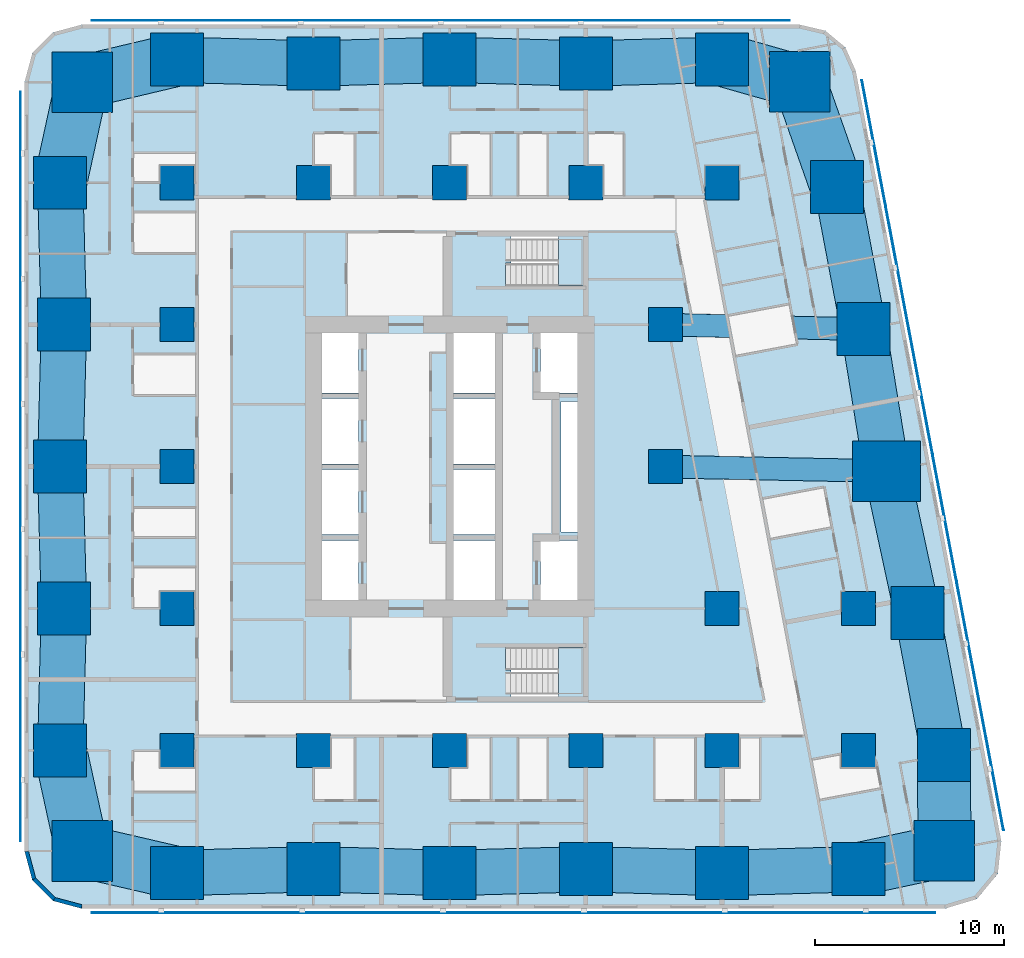
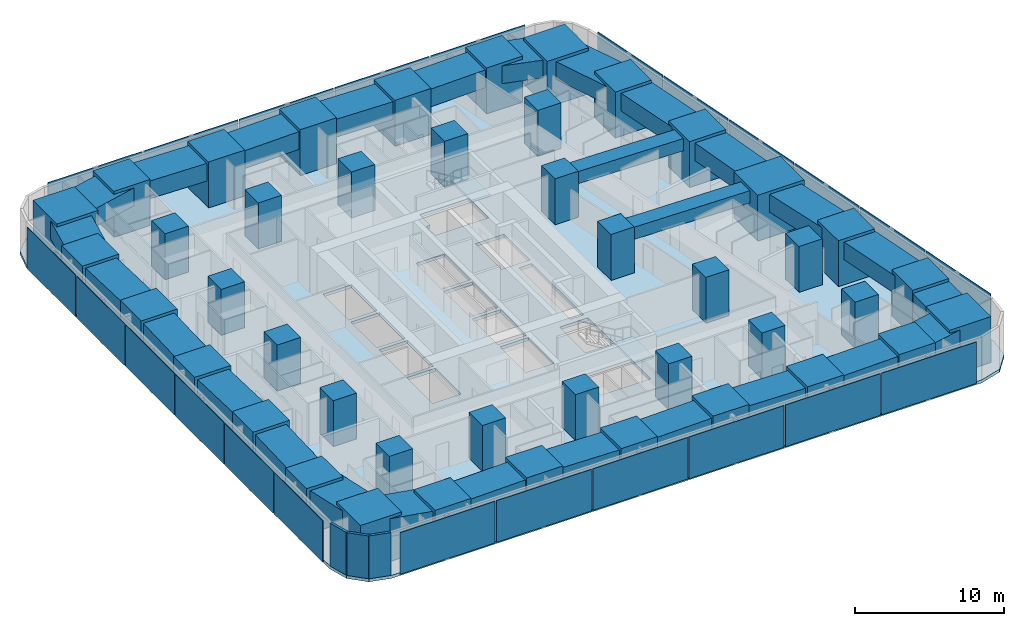
# One storey, part 1 of 16: 43 columns, 27 beams, 23 plates, 3 slabs, 3 walls, 2 elements without a shape of their own.
"""IFC4 building model written with IfcOpenShell, lengths in metres."""

from ifc_helpers import new_model, si_unit, direction, frame, frame_2d, origin, origin_2d, place, context, subcontext, project, spatial, polyline, rectangle, outline, extrude, material, layer, layer_set, material_profile, profile_set, type_object, element, aggregate, save


model = new_model("IFC4")

# Units and contexts
model_context = context("Model", 3, precision=1e-05, world=origin(), true_north=direction((0.0, 1.0)))
body_context = subcontext(model_context, "Body", "Model", "MODEL_VIEW")
ifc_project = project(units=[si_unit("LENGTHUNIT", "METRE"), si_unit("AREAUNIT", "SQUARE_METRE"), si_unit("VOLUMEUNIT", "CUBIC_METRE"), si_unit("PLANEANGLEUNIT", "RADIAN"), si_unit("MASSUNIT", "GRAM", prefix="KILO")], contexts=[model_context])

# Site, building, storey
site_placement = place(None, origin())
site = spatial("IfcSite", under=ifc_project, at=site_placement, CompositionType="ELEMENT")
building_placement = place(site_placement, origin())
building = spatial("IfcBuilding", under=site, at=building_placement, Name="Sheger Commons Tower", CompositionType="ELEMENT")
storey_placement = place(building_placement, frame((0.0, 0.0, 57.5)))
storey = spatial("IfcBuildingStorey", under=building, at=storey_placement, Name="L14", CompositionType="ELEMENT", Elevation=57.5)

# Columns
ifc_material_1 = material(Name="Concrete C50/60", Category="concrete")
ifc_material_profile_1 = material_profile(ifc_material_1, rectangle(XDim=3.60009765625, YDim=3.199951171875, at=origin_2d()), Name="RC 3600x3200")
ifc_profile_set_1 = profile_set([ifc_material_profile_1], Name="Concrete C50/60")
column_type_1 = type_object("IfcColumnType", Name="COLUMN PIER RC 3600x3200", PredefinedType="COLUMN", material=ifc_profile_set_1)
column_placement = place(storey_placement, frame((44.697021484375, 22.262939453125, 0.0), z_axis=(0.0, 0.0, 1.0), x_axis=(1.0, 0.0, 0.0)))
element("IfcColumn", 1, at=column_placement, inside=storey, type_object=column_type_1, Name="Pier 7/D+E/D L14", PredefinedType="COLUMN", context=body_context, shape_type="SweptSolid", body=[
    extrude(rectangle(XDim=3.60009765625, YDim=3.199951171875, at=origin_2d()), origin(), (0.0, 0.0, 1.0), 3.75),
])
ifc_material_2 = material(Name="Concrete C50/60", Category="concrete")
ifc_material_profile_2 = material_profile(ifc_material_2, rectangle(XDim=1.800048828125, YDim=1.800048828125, at=origin_2d()), Name="RC 1800x1800")
ifc_profile_set_2 = profile_set([ifc_material_profile_2], Name="Concrete C50/60")
column_type_2 = type_object("IfcColumnType", Name="COLUMN RC 1800x1800", PredefinedType="COLUMN", material=ifc_profile_set_2)
for number, where, z_axis, x_axis, name in (
    (2, (7.199951171875, 7.5, 0.0), (0.0, 0.0, 1.0), (1.0, 0.0, 0.0), "Column 2/B L14"),
    (3, (14.39990234375, 7.5, 0.0), (0.0, 0.0, 1.0), (1.0, 0.0, 0.0), "Column 3/B L14"),
    (4, (21.60009765625, 7.5, 0.0), (0.0, 0.0, 1.0), (1.0, 0.0, 0.0), "Column 4/B L14"),
    (5, (28.800048828125, 7.5, 0.0), (0.0, 0.0, 1.0), (1.0, 0.0, 0.0), "Column 5/B L14"),
    (6, (36.0, 7.5, 0.0), (0.0, 0.0, 1.0), (1.0, 0.0, 0.0), "Column 6/B L14"),
    (7, (43.199951171875, 7.5, 0.0), (0.0, 0.0, 1.0), (1.0, 0.0, 0.0), "Column 7/B L14"),
    (8, (7.199951171875, 15.0, 0.0), (0.0, 0.0, 1.0), (1.0, 0.0, 0.0), "Column 2/C L14"),
    (9, (36.0, 15.0, 0.0), (0.0, 0.0, 1.0), (1.0, 0.0, 0.0), "Column 6/C L14"),
    (10, (43.199951171875, 15.0, 0.0), (0.0, 0.0, 1.0), (1.0, 0.0, 0.0), "Column 7/C L14"),
    (11, (7.199951171875, 22.5, 0.0), (0.0, 0.0, 1.0), (1.0, 0.0, 0.0), "Column 2/D L14"),
    (12, (33.0, 22.5, 0.0), (0.0, 0.0, 1.0), (1.0, 0.0, 0.0), "Column 6-3000/D L14"),
    (13, (7.199951171875, 30.0, 0.0), (0.0, 0.0, 1.0), (1.0, 0.0, 0.0), "Column 2/E L14"),
    (14, (33.0, 30.0, 0.0), (0.0, 0.0, 1.0), (1.0, 0.0, 0.0), "Column 6-3000/E L14"),
    (15, (7.199951171875, 37.5, 0.0), (0.0, 0.0, 1.0), (1.0, 0.0, 0.0), "Column 2/F L14"),
    (16, (14.39990234375, 37.5, 0.0), (0.0, 0.0, 1.0), (1.0, 0.0, 0.0), "Column 3/F L14"),
    (17, (21.60009765625, 37.5, 0.0), (0.0, 0.0, 1.0), (1.0, 0.0, 0.0), "Column 4/F L14"),
    (18, (28.800048828125, 37.5, 0.0), (0.0, 0.0, 1.0), (1.0, 0.0, 0.0), "Column 5/F L14"),
    (19, (36.0, 37.5, 0.0), (0.0, 0.0, 1.0), (1.0, 0.0, 0.0), "Column 6/F L14"),
):
    element("IfcColumn", number, at=place(storey_placement, frame(where, z_axis=z_axis, x_axis=x_axis)), inside=storey, type_object=column_type_2, Name=name, PredefinedType="COLUMN", context=body_context, shape_type="SweptSolid", body=[
        extrude(rectangle(XDim=1.800048828125, YDim=1.800048828125, at=origin_2d()), origin(), (0.0, 0.0, 1.0), 3.75),
    ])
ifc_material_3 = material(Name="Concrete C50/60", Category="concrete")
ifc_material_profile_3 = material_profile(ifc_material_3, rectangle(XDim=2.800048828125, YDim=2.800048828125, at=origin_2d()), Name="RC 2800x2800")
ifc_profile_set_3 = profile_set([ifc_material_profile_3], Name="Concrete C50/60")
column_type_3 = type_object("IfcColumnType", Name="COLUMN RC 2800x2800", PredefinedType="COLUMN", material=ifc_profile_set_3)
for number, where, z_axis, x_axis, name in (
    (20, (7.199951171875, 1.02490234375, 0.0), (0.0, 0.0, 1.0), (1.0, 0.0, 0.0), "Column 2/A L14"),
    (21, (14.39990234375, 1.22509765625, 0.0), (0.0, 0.0, 1.0), (1.0, 0.0, 0.0), "Column 3/A L14"),
    (22, (21.60009765625, 1.02490234375, 0.0), (0.0, 0.0, 1.0), (1.0, 0.0, 0.0), "Column 4/A L14"),
    (23, (28.800048828125, 1.22509765625, 0.0), (0.0, 0.0, 1.0), (1.0, 0.0, 0.0), "Column 5/A L14"),
    (24, (36.0, 1.02490234375, 0.0), (0.0, 0.0, 1.0), (1.0, 0.0, 0.0), "Column 6/A L14"),
    (25, (43.199951171875, 1.22509765625, 0.0), (0.0, 0.0, 1.0), (1.0, 0.0, 0.0), "Column 7/A L14"),
    (26, (1.02490234375, 7.5, 0.0), (0.0, 0.0, 1.0), (1.0, 0.0, 0.0), "Column 1/B L14"),
    (27, (47.72998046875, 7.262939453125, 0.0), (0.0, 0.0, 1.0), (1.0, 0.0, 0.0), "Column E/B L14"),
    (28, (1.22509765625, 15.0, 0.0), (0.0, 0.0, 1.0), (1.0, 0.0, 0.0), "Column 1/C L14"),
    (29, (46.31396484375, 14.762939453125, 0.0), (0.0, 0.0, 1.0), (1.0, 0.0, 0.0), "Column E/C L14"),
    (30, (1.02490234375, 22.5, 0.0), (0.0, 0.0, 1.0), (1.0, 0.0, 0.0), "Column 1/D L14"),
    (31, (1.22509765625, 30.0, 0.0), (0.0, 0.0, 1.0), (1.0, 0.0, 0.0), "Column 1/E L14"),
    (32, (43.47998046875, 29.762939453125, 0.0), (0.0, 0.0, 1.0), (1.0, 0.0, 0.0), "Column E/E L14"),
    (33, (1.02490234375, 37.5, 0.0), (0.0, 0.0, 1.0), (1.0, 0.0, 0.0), "Column 1/F L14"),
    (34, (42.06396484375, 37.262939453125, 0.0), (0.0, 0.0, 1.0), (1.0, 0.0, 0.0), "Column E/F L14"),
    (35, (7.199951171875, 44.0, 0.0), (0.0, 0.0, 1.0), (1.0, 0.0, 0.0), "Column 2/G L14"),
    (36, (14.39990234375, 43.800048828125, 0.0), (0.0, 0.0, 1.0), (1.0, 0.0, 0.0), "Column 3/G L14"),
    (37, (21.60009765625, 44.0, 0.0), (0.0, 0.0, 1.0), (1.0, 0.0, 0.0), "Column 4/G L14"),
    (38, (28.800048828125, 43.800048828125, 0.0), (0.0, 0.0, 1.0), (1.0, 0.0, 0.0), "Column 5/G L14"),
    (39, (36.0, 44.0, 0.0), (0.0, 0.0, 1.0), (1.0, 0.0, 0.0), "Column 6/G L14"),
):
    element("IfcColumn", number, at=place(storey_placement, frame(where, z_axis=z_axis, x_axis=x_axis)), inside=storey, type_object=column_type_3, Name=name, PredefinedType="COLUMN", context=body_context, shape_type="SweptSolid", body=[
        extrude(rectangle(XDim=2.800048828125, YDim=2.800048828125, at=origin_2d()), origin(), (0.0, 0.0, 1.0), 3.75),
    ])
ifc_material_4 = material(Name="Concrete C50/60", Category="concrete")
ifc_material_profile_4 = material_profile(ifc_material_4, rectangle(XDim=3.199951171875, YDim=3.199951171875, at=origin_2d()), Name="RC 3200x3200")
ifc_profile_set_4 = profile_set([ifc_material_profile_4], Name="Concrete C50/60")
column_type_4 = type_object("IfcColumnType", Name="COLUMN RC 3200x3200", PredefinedType="COLUMN", material=ifc_profile_set_4)
for number, where, z_axis, x_axis, name in (
    (40, (2.18603515625, 2.18603515625, 0.0), (0.0, 0.0, 1.0), (1.0, 0.0, 0.0), "Column 0.630,0.630 L14"),
    (41, (47.748046875, 2.197021484375, 0.0), (0.0, 0.0, 1.0), (1.0, 0.0, 0.0), "Column 49.461,0.778 L14"),
    (42, (2.18603515625, 42.81396484375, 0.0), (0.0, 0.0, 1.0), (1.0, 0.0, 0.0), "Column 0.630,44.370 L14"),
    (43, (40.10205078125, 42.830078125, 0.0), (0.0, 0.0, 1.0), (1.0, 0.0, 0.0), "Column 41.490,44.505 L14"),
):
    element("IfcColumn", number, at=place(storey_placement, frame(where, z_axis=z_axis, x_axis=x_axis)), inside=storey, type_object=column_type_4, Name=name, PredefinedType="COLUMN", context=body_context, shape_type="SweptSolid", body=[
        extrude(rectangle(XDim=3.199951171875, YDim=3.199951171875, at=origin_2d()), origin(), (0.0, 0.0, 1.0), 3.75),
    ])

# Beams
ifc_material_5 = material(Name="Concrete C50/60", Category="concrete")
ifc_material_profile_5 = material_profile(ifc_material_5, rectangle(XDim=1.199951171875, YDim=1.0, at=origin_2d()), Name="RC 1200x1000")
ifc_profile_set_5 = profile_set([ifc_material_profile_5], Name="Concrete C50/60")
beam_type_1 = type_object("IfcBeamType", Name="BEAM RC 1200x1000", PredefinedType="BEAM", material=ifc_profile_set_5)
beam_1_placement = place(storey_placement, frame((33.0, 22.5, 3.0), z_axis=(0.999794692776, -0.02026258368, 0.0), x_axis=(0.02026258368, 0.999794692776, 0.0)))
element("IfcBeam", 44, at=beam_1_placement, inside=storey, type_object=beam_type_1, Name="Beam 6-3000/D-7/D under L15", PredefinedType="BEAM", context=body_context, shape_type="SweptSolid", body=[
    extrude(rectangle(XDim=1.199951171875, YDim=1.0, at=origin_2d()), origin(), (0.0, 0.0, 1.0), 11.699462890625),
])
beam_2_placement = place(storey_placement, frame((33.0, 30.0, 3.0), z_axis=(0.999744258625, -0.022614538395, 0.0), x_axis=(0.022614538395, 0.999744258625, 0.0)))
element("IfcBeam", 45, at=beam_2_placement, inside=storey, type_object=beam_type_1, Name="Beam 6-3000/E-E/E under L15", PredefinedType="BEAM", context=body_context, shape_type="SweptSolid", body=[
    extrude(rectangle(XDim=1.199951171875, YDim=1.0, at=origin_2d()), origin(), (0.0, 0.0, 1.0), 10.482666015625),
])
ifc_material_6 = material(Name="Concrete C50/60", Category="concrete")
ifc_material_profile_6 = material_profile(ifc_material_6, rectangle(XDim=2.39990234375, YDim=1.449951171875, at=origin_2d()), Name="RC 2400x1450")
ifc_profile_set_6 = profile_set([ifc_material_profile_6], Name="Concrete C50/60")
beam_type_2 = type_object("IfcBeamType", Name="SPANDREL RC 2400x1450", PredefinedType="SPANDREL", material=ifc_profile_set_6)
beam_3_placement = place(storey_placement, frame((7.199951171875, 1.02490234375, 2.77490234375), z_axis=(0.9996136624, 0.027794350926, 0.0), x_axis=(-0.027794350926, 0.9996136624, 0.0)))
element("IfcBeam", 46, at=beam_3_placement, inside=storey, type_object=beam_type_2, Name="Beam 2/A-3/A under L15", PredefinedType="SPANDREL", context=body_context, shape_type="SweptSolid", body=[
    extrude(rectangle(XDim=2.39990234375, YDim=1.449951171875, at=origin_2d()), origin(), (0.0, 0.0, 1.0), 7.20263671875),
])
beam_4_placement = place(storey_placement, frame((14.39990234375, 1.22509765625, 2.77490234375), z_axis=(0.999613688584, -0.027793409217, 0.0), x_axis=(0.027793409217, 0.999613688584, 0.0)))
element("IfcBeam", 47, at=beam_4_placement, inside=storey, type_object=beam_type_2, Name="Beam 3/A-4/A under L15", PredefinedType="SPANDREL", context=body_context, shape_type="SweptSolid", body=[
    extrude(rectangle(XDim=2.39990234375, YDim=1.449951171875, at=origin_2d()), origin(), (0.0, 0.0, 1.0), 7.202880859375),
])
for number, where, z_axis, x_axis, name in (
    (48, (21.60009765625, 1.02490234375, 2.77490234375), (0.9996136624, 0.027794350926, 0.0), (-0.027794350926, 0.9996136624, 0.0), "Beam 4/A-5/A under L15"),
    (49, (28.800048828125, 1.22509765625, 2.77490234375), (0.9996136624, -0.027794350926, 0.0), (0.027794350926, 0.9996136624, 0.0), "Beam 5/A-6/A under L15"),
    (50, (36.0, 1.02490234375, 2.77490234375), (0.9996136624, 0.027794350926, 0.0), (-0.027794350926, 0.9996136624, 0.0), "Beam 6/A-7/A under L15"),
):
    element("IfcBeam", number, at=place(storey_placement, frame(where, z_axis=z_axis, x_axis=x_axis)), inside=storey, type_object=beam_type_2, Name=name, PredefinedType="SPANDREL", context=body_context, shape_type="SweptSolid", body=[
        extrude(rectangle(XDim=2.39990234375, YDim=1.449951171875, at=origin_2d()), origin(), (0.0, 0.0, 1.0), 7.20263671875),
    ])
beam_5_placement = place(storey_placement, frame((47.72998046875, 7.262939453125, 2.77490234375), z_axis=(-0.18552441405, 0.982639655108, 0.0), x_axis=(-0.982639655108, -0.18552441405, 0.0)))
element("IfcBeam", 51, at=beam_5_placement, inside=storey, type_object=beam_type_2, Name="Beam E/B-E/C under L15", PredefinedType="SPANDREL", context=body_context, shape_type="SweptSolid", body=[
    extrude(rectangle(XDim=2.39990234375, YDim=1.449951171875, at=origin_2d()), origin(), (0.0, 0.0, 1.0), 7.632568359375),
])
beam_6_placement = place(storey_placement, frame((46.31396484375, 14.762939453125, 2.77490234375), z_axis=(-0.210750229323, 0.977539943348, 0.0), x_axis=(-0.977539943348, -0.210750229323, 0.0)))
element("IfcBeam", 52, at=beam_6_placement, inside=storey, type_object=beam_type_2, Name="Beam E/C-E/D under L15", PredefinedType="SPANDREL", context=body_context, shape_type="SweptSolid", body=[
    extrude(rectangle(XDim=2.39990234375, YDim=1.449951171875, at=origin_2d()), origin(), (0.0, 0.0, 1.0), 7.67236328125),
])
beam_7_placement = place(storey_placement, frame((44.697021484375, 22.262939453125, 2.77490234375), z_axis=(-0.160176929512, 0.987088319884, 0.0), x_axis=(-0.987088319884, -0.160176929512, 0.0)))
element("IfcBeam", 53, at=beam_7_placement, inside=storey, type_object=beam_type_2, Name="Beam E/D-E/E under L15", PredefinedType="SPANDREL", context=body_context, shape_type="SweptSolid", body=[
    extrude(rectangle(XDim=2.39990234375, YDim=1.449951171875, at=origin_2d()), origin(), (0.0, 0.0, 1.0), 7.59814453125),
])
beam_8_placement = place(storey_placement, frame((43.47998046875, 29.762939453125, 2.77490234375), z_axis=(-0.18552441405, 0.982639655108, 0.0), x_axis=(-0.982639655108, -0.18552441405, 0.0)))
element("IfcBeam", 54, at=beam_8_placement, inside=storey, type_object=beam_type_2, Name="Beam E/E-E/F under L15", PredefinedType="SPANDREL", context=body_context, shape_type="SweptSolid", body=[
    extrude(rectangle(XDim=2.39990234375, YDim=1.449951171875, at=origin_2d()), origin(), (0.0, 0.0, 1.0), 7.632568359375),
])
for number, where, z_axis, x_axis, name in (
    (55, (36.0, 44.0, 2.77490234375), (-0.999614603568, -0.027760481514, 0.0), (0.027760481514, -0.999614603568, 0.0), "Beam 6/G-5/G under L15"),
    (56, (28.800048828125, 43.800048828125, 2.77490234375), (-0.999614603568, 0.027760481514, 0.0), (-0.027760481514, -0.999614603568, 0.0), "Beam 5/G-4/G under L15"),
):
    element("IfcBeam", number, at=place(storey_placement, frame(where, z_axis=z_axis, x_axis=x_axis)), inside=storey, type_object=beam_type_2, Name=name, PredefinedType="SPANDREL", context=body_context, shape_type="SweptSolid", body=[
        extrude(rectangle(XDim=2.39990234375, YDim=1.449951171875, at=origin_2d()), origin(), (0.0, 0.0, 1.0), 7.20263671875),
    ])
beam_9_placement = place(storey_placement, frame((21.60009765625, 44.0, 2.77490234375), z_axis=(-0.999614629688, -0.027759540951, 0.0), x_axis=(0.027759540951, -0.999614629688, 0.0)))
element("IfcBeam", 57, at=beam_9_placement, inside=storey, type_object=beam_type_2, Name="Beam 4/G-3/G under L15", PredefinedType="SPANDREL", context=body_context, shape_type="SweptSolid", body=[
    extrude(rectangle(XDim=2.39990234375, YDim=1.449951171875, at=origin_2d()), origin(), (0.0, 0.0, 1.0), 7.202880859375),
])
beam_10_placement = place(storey_placement, frame((14.39990234375, 43.800048828125, 2.77490234375), z_axis=(-0.999614603568, 0.027760481514, 0.0), x_axis=(-0.027760481514, -0.999614603568, 0.0)))
element("IfcBeam", 58, at=beam_10_placement, inside=storey, type_object=beam_type_2, Name="Beam 3/G-2/G under L15", PredefinedType="SPANDREL", context=body_context, shape_type="SweptSolid", body=[
    extrude(rectangle(XDim=2.39990234375, YDim=1.449951171875, at=origin_2d()), origin(), (0.0, 0.0, 1.0), 7.20263671875),
])
for number, where, z_axis, x_axis, name in (
    (59, (1.02490234375, 37.5, 2.77490234375), (0.026683204125, -0.999643939919, 0.0), (0.999643939919, 0.026683204125, 0.0), "Beam 1/F-1/E under L15"),
    (60, (1.22509765625, 30.0, 2.77490234375), (-0.026683204125, -0.999643939919, 0.0), (0.999643939919, -0.026683204125, 0.0), "Beam 1/E-1/D under L15"),
    (61, (1.02490234375, 22.5, 2.77490234375), (0.026683204125, -0.999643939919, 0.0), (0.999643939919, 0.026683204125, 0.0), "Beam 1/D-1/C under L15"),
    (62, (1.22509765625, 15.0, 2.77490234375), (-0.026683204125, -0.999643939919, 0.0), (0.999643939919, -0.026683204125, 0.0), "Beam 1/C-1/B under L15"),
):
    element("IfcBeam", number, at=place(storey_placement, frame(where, z_axis=z_axis, x_axis=x_axis)), inside=storey, type_object=beam_type_2, Name=name, PredefinedType="SPANDREL", context=body_context, shape_type="SweptSolid", body=[
        extrude(rectangle(XDim=2.39990234375, YDim=1.449951171875, at=origin_2d()), origin(), (0.0, 0.0, 1.0), 7.502685546875),
    ])
ifc_material_7 = material(Name="Concrete C50/60", Category="concrete")
ifc_material_profile_7 = material_profile(ifc_material_7, rectangle(XDim=2.800048828125, YDim=1.449951171875, at=origin_2d()), Name="RC 2800x1450")
ifc_profile_set_7 = profile_set([ifc_material_profile_7], Name="Concrete C50/60")
beam_type_3 = type_object("IfcBeamType", Name="SPANDREL RC 2800x1450", PredefinedType="SPANDREL", material=ifc_profile_set_7)
beam_11_placement = place(storey_placement, frame((2.18603515625, 2.18603515625, 2.77490234375), z_axis=(0.974217413499, -0.225611239159, 0.0), x_axis=(0.225611239159, 0.974217413499, 0.0)))
element("IfcBeam", 63, at=beam_11_placement, inside=storey, type_object=beam_type_3, Name="Beam 0.630,0.630-2/A under L15", PredefinedType="SPANDREL", context=body_context, shape_type="SweptSolid", body=[
    extrude(rectangle(XDim=2.800048828125, YDim=1.449951171875, at=origin_2d()), origin(), (0.0, 0.0, 1.0), 5.146728515625),
])
beam_12_placement = place(storey_placement, frame((43.199951171875, 1.22509765625, 2.77490234375), z_axis=(0.977919796671, 0.208980552394, 0.0), x_axis=(-0.208980552394, 0.977919796671, 0.0)))
element("IfcBeam", 64, at=beam_12_placement, inside=storey, type_object=beam_type_3, Name="Beam 7/A-49.461,0.778 under L15", PredefinedType="SPANDREL", context=body_context, shape_type="SweptSolid", body=[
    extrude(rectangle(XDim=2.800048828125, YDim=1.449951171875, at=origin_2d()), origin(), (0.0, 0.0, 1.0), 4.65087890625),
])
beam_13_placement = place(storey_placement, frame((47.748046875, 2.197021484375, 2.77490234375), z_axis=(-0.003566242382, 0.999993640937, 0.0), x_axis=(-0.999993640937, -0.003566242382, 0.0)))
element("IfcBeam", 65, at=beam_13_placement, inside=storey, type_object=beam_type_3, Name="Beam 49.461,0.778-E/B under L15", PredefinedType="SPANDREL", context=body_context, shape_type="SweptSolid", body=[
    extrude(rectangle(XDim=2.800048828125, YDim=1.449951171875, at=origin_2d()), origin(), (0.0, 0.0, 1.0), 5.06591796875),
])
beam_14_placement = place(storey_placement, frame((42.06396484375, 37.262939453125, 2.77490234375), z_axis=(-0.332374403357, 0.943147526102, 0.0), x_axis=(-0.943147526102, -0.332374403357, 0.0)))
element("IfcBeam", 66, at=beam_14_placement, inside=storey, type_object=beam_type_3, Name="Beam E/F-41.490,44.505 under L15", PredefinedType="SPANDREL", context=body_context, shape_type="SweptSolid", body=[
    extrude(rectangle(XDim=2.800048828125, YDim=1.449951171875, at=origin_2d()), origin(), (0.0, 0.0, 1.0), 5.90283203125),
])
beam_15_placement = place(storey_placement, frame((40.10205078125, 42.830078125, 2.77490234375), z_axis=(-0.961653428129, 0.274267541221, 0.0), x_axis=(-0.274267541221, -0.961653428129, 0.0)))
element("IfcBeam", 67, at=beam_15_placement, inside=storey, type_object=beam_type_3, Name="Beam 41.490,44.505-6/G under L15", PredefinedType="SPANDREL", context=body_context, shape_type="SweptSolid", body=[
    extrude(rectangle(XDim=2.800048828125, YDim=1.449951171875, at=origin_2d()), origin(), (0.0, 0.0, 1.0), 4.265625),
])
beam_16_placement = place(storey_placement, frame((7.199951171875, 44.0, 2.77490234375), z_axis=(-0.97314428949, -0.230195985701, 0.0), x_axis=(0.230195985701, -0.97314428949, 0.0)))
element("IfcBeam", 68, at=beam_16_placement, inside=storey, type_object=beam_type_3, Name="Beam 2/G-0.630,44.370 under L15", PredefinedType="SPANDREL", context=body_context, shape_type="SweptSolid", body=[
    extrude(rectangle(XDim=2.800048828125, YDim=1.449951171875, at=origin_2d()), origin(), (0.0, 0.0, 1.0), 5.15234375),
])
for number, where, z_axis, x_axis, name in (
    (69, (2.18603515625, 42.81396484375, 2.77490234375), (-0.213469314652, -0.976949769283, 0.0), (0.976949769283, -0.213469314652, 0.0), "Beam 0.630,44.370-1/F under L15"),
    (70, (1.02490234375, 7.5, 2.77490234375), (0.213469314652, -0.976949769283, 0.0), (0.976949769283, 0.213469314652, 0.0), "Beam 1/B-0.630,0.630 under L15"),
):
    element("IfcBeam", number, at=place(storey_placement, frame(where, z_axis=z_axis, x_axis=x_axis)), inside=storey, type_object=beam_type_3, Name=name, PredefinedType="SPANDREL", context=body_context, shape_type="SweptSolid", body=[
        extrude(rectangle(XDim=2.800048828125, YDim=1.449951171875, at=origin_2d()), origin(), (0.0, 0.0, 1.0), 5.439453125),
    ])

# Slab
ifc_material_8 = material(Name="Concrete C35/45", Category="concrete")
ifc_layer_1 = layer(ifc_material_8, 0.25)
ifc_layer_set_1 = layer_set([ifc_layer_1], Name="SLAB FLOOR 250")
slab_type_1 = type_object("IfcSlabType", Name="SLAB FLOOR 250", PredefinedType="FLOOR", material=ifc_layer_set_1)
slab_1_placement = place(storey_placement, frame((0.0, 0.0, -0.25)))
element("IfcSlab", 71, at=slab_1_placement, inside=storey, type_object=slab_type_1, Name="L14 floor slab", PredefinedType="FLOOR", context=body_context, shape_type="SweptSolid", body=[
    extrude(outline(polyline([(-0.85009765625, 2.14990234375), (-0.447998046875, 0.64990234375), (0.64990234375, -0.447998046875), (2.14990234375, -0.85009765625), (47.805908203125, -0.85009765625), (49.465087890625, -0.35009765625), (50.570068359375, 0.98388671875), (50.75390625, 2.70703125), (43.06591796875, 43.406982421875), (42.509033203125, 44.660888671875), (41.452880859375, 45.535888671875), (40.117919921875, 45.85009765625), (2.14990234375, 45.85009765625), (0.64990234375, 45.447998046875), (-0.447998046875, 44.35009765625), (-0.85009765625, 42.85009765625), (-0.85009765625, 2.14990234375)]), holes=[polyline([(24.85009765625, 10.35009765625), (28.64990234375, 10.35009765625), (28.64990234375, 12.949951171875), (24.551025390625, 12.949951171875), (24.551025390625, 11.75), (24.85009765625, 11.75), (24.85009765625, 10.35009765625)]), polyline([(24.551025390625, 32.050048828125), (28.64990234375, 32.050048828125), (28.64990234375, 34.64990234375), (24.85009765625, 34.64990234375), (24.85009765625, 33.25), (24.551025390625, 33.25), (24.551025390625, 32.050048828125)]), polyline([(26.39990234375, 15.14990234375), (28.60009765625, 15.14990234375), (28.60009765625, 18.60009765625), (26.39990234375, 18.60009765625), (26.39990234375, 15.14990234375)]), polyline([(26.39990234375, 26.39990234375), (28.60009765625, 26.39990234375), (28.60009765625, 29.85009765625), (26.39990234375, 29.85009765625), (26.39990234375, 26.39990234375)]), polyline([(14.60009765625, 15.14990234375), (16.800048828125, 15.14990234375), (16.800048828125, 18.60009765625), (14.60009765625, 18.60009765625), (14.60009765625, 15.14990234375)]), polyline([(14.60009765625, 18.89990234375), (16.800048828125, 18.89990234375), (16.800048828125, 22.35009765625), (14.60009765625, 22.35009765625), (14.60009765625, 18.89990234375)]), polyline([(14.60009765625, 22.64990234375), (16.800048828125, 22.64990234375), (16.800048828125, 26.10009765625), (14.60009765625, 26.10009765625), (14.60009765625, 22.64990234375)]), polyline([(14.60009765625, 26.39990234375), (16.800048828125, 26.39990234375), (16.800048828125, 29.85009765625), (14.60009765625, 29.85009765625), (14.60009765625, 26.39990234375)]), polyline([(21.800048828125, 15.14990234375), (24.0, 15.14990234375), (24.0, 18.60009765625), (21.800048828125, 18.60009765625), (21.800048828125, 15.14990234375)]), polyline([(21.800048828125, 18.89990234375), (24.0, 18.89990234375), (24.0, 22.35009765625), (21.800048828125, 22.35009765625), (21.800048828125, 18.89990234375)]), polyline([(21.800048828125, 22.64990234375), (24.0, 22.64990234375), (24.0, 26.10009765625), (21.800048828125, 26.10009765625), (21.800048828125, 22.64990234375)]), polyline([(21.800048828125, 26.39990234375), (24.0, 26.39990234375), (24.0, 29.85009765625), (21.800048828125, 29.85009765625), (21.800048828125, 26.39990234375)]), polyline([(27.5, 19.050048828125), (28.5, 19.050048828125), (28.5, 25.949951171875), (27.5, 25.949951171875), (27.5, 19.050048828125)])]), origin(), (0.0, 0.0, 1.0), 0.25),
])

# Plates
ifc_material_9 = material(Name="Perforated black anodised aluminium screen", Category="aluminium")
ifc_layer_2 = layer(ifc_material_9, 0.050048828125)
ifc_layer_set_2 = layer_set([ifc_layer_2], Name="SOLAR SCREEN SCREEN-1")
plate_type = type_object("IfcPlateType", Name="SOLAR SCREEN SCREEN-1", PredefinedType="USERDEFINED", material=ifc_layer_set_2)
for number, where, z_axis, x_axis, name in (
    (72, (6.37109375, -1.074951171875, 0.050048828125), (0.0, 0.0, 1.0), (1.0, 0.0, 0.0), "Perforated solar screen panel"),
    (73, (13.81396484375, -1.074951171875, 0.050048828125), (0.0, 0.0, 1.0), (1.0, 0.0, 0.0), "Perforated solar screen panel"),
    (74, (21.257080078125, -1.074951171875, 0.050048828125), (0.0, 0.0, 1.0), (1.0, 0.0, 0.0), "Perforated solar screen panel"),
    (75, (28.698974609375, -1.074951171875, 0.050048828125), (0.0, 0.0, 1.0), (1.0, 0.0, 0.0), "Perforated solar screen panel"),
    (76, (36.14208984375, -1.074951171875, 0.050048828125), (0.0, 0.0, 1.0), (1.0, 0.0, 0.0), "Perforated solar screen panel"),
    (77, (43.5849609375, -1.074951171875, 0.050048828125), (0.0, 0.0, 1.0), (1.0, 0.0, 0.0), "Perforated solar screen panel"),
):
    element("IfcPlate", number, at=place(storey_placement, frame(where, z_axis=z_axis, x_axis=x_axis)), inside=storey, type_object=plate_type, Name=name, ObjectType="SCREEN", PredefinedType="USERDEFINED", context=body_context, shape_type="SweptSolid", body=[
        extrude(rectangle(XDim=7.343017578125, YDim=0.050048828125, at=origin_2d()), origin(), (0.0, 0.0, 1.0), 3.39990234375),
    ])
for number, where, z_axis, x_axis, name in (
    (78, (50.257080078125, 6.550048828125, 0.050048828125), (0.0, 0.0, 1.0), (-0.185615165645, 0.982622516678, 0.0), "Perforated solar screen panel"),
    (79, (49.007080078125, 13.1689453125, 0.050048828125), (0.0, 0.0, 1.0), (-0.185615165645, 0.982622516678, 0.0), "Perforated solar screen panel"),
    (80, (47.756103515625, 19.7890625, 0.050048828125), (0.0, 0.0, 1.0), (-0.185615165645, 0.982622516678, 0.0), "Perforated solar screen panel"),
    (81, (46.506103515625, 26.408935546875, 0.050048828125), (0.0, 0.0, 1.0), (-0.185615165645, 0.982622516678, 0.0), "Perforated solar screen panel"),
    (82, (45.2548828125, 33.028076171875, 0.050048828125), (0.0, 0.0, 1.0), (-0.185615165645, 0.982622516678, 0.0), "Perforated solar screen panel"),
    (83, (44.0048828125, 39.64794921875, 0.050048828125), (0.0, 0.0, 1.0), (-0.185615165645, 0.982622516678, 0.0), "Perforated solar screen panel"),
):
    element("IfcPlate", number, at=place(storey_placement, frame(where, z_axis=z_axis, x_axis=x_axis)), inside=storey, type_object=plate_type, Name=name, ObjectType="SCREEN", PredefinedType="USERDEFINED", context=body_context, shape_type="SweptSolid", body=[
        extrude(rectangle(XDim=6.636962890625, YDim=0.050048828125, at=origin_2d()), origin(), (0.0, 0.0, 1.0), 3.39990234375),
    ])
for number, where, z_axis, x_axis, name in (
    (84, (35.9208984375, 46.074951171875, 0.050048828125), (0.0, 0.0, 1.0), (-1.0, 0.0, 0.0), "Perforated solar screen panel"),
    (85, (28.528076171875, 46.074951171875, 0.050048828125), (0.0, 0.0, 1.0), (-1.0, 0.0, 0.0), "Perforated solar screen panel"),
    (86, (21.134033203125, 46.074951171875, 0.050048828125), (0.0, 0.0, 1.0), (-1.0, 0.0, 0.0), "Perforated solar screen panel"),
    (87, (13.739990234375, 46.074951171875, 0.050048828125), (0.0, 0.0, 1.0), (-1.0, 0.0, 0.0), "Perforated solar screen panel"),
    (88, (6.346923828125, 46.074951171875, 0.050048828125), (0.0, 0.0, 1.0), (-1.0, 0.0, 0.0), "Perforated solar screen panel"),
):
    element("IfcPlate", number, at=place(storey_placement, frame(where, z_axis=z_axis, x_axis=x_axis)), inside=storey, type_object=plate_type, Name=name, ObjectType="SCREEN", PredefinedType="USERDEFINED", context=body_context, shape_type="SweptSolid", body=[
        extrude(rectangle(XDim=7.2939453125, YDim=0.050048828125, at=origin_2d()), origin(), (0.0, 0.0, 1.0), 3.39990234375),
    ])
for number, where, z_axis, x_axis, name in (
    (89, (-1.074951171875, 39.0419921875, 0.050048828125), (0.0, 0.0, 1.0), (0.0, -1.0, 0.0), "Perforated solar screen panel"),
    (90, (-1.074951171875, 32.425048828125, 0.050048828125), (0.0, 0.0, 1.0), (0.0, -1.0, 0.0), "Perforated solar screen panel"),
    (91, (-1.074951171875, 25.80810546875, 0.050048828125), (0.0, 0.0, 1.0), (0.0, -1.0, 0.0), "Perforated solar screen panel"),
    (92, (-1.074951171875, 19.19189453125, 0.050048828125), (0.0, 0.0, 1.0), (0.0, -1.0, 0.0), "Perforated solar screen panel"),
    (93, (-1.074951171875, 12.574951171875, 0.050048828125), (0.0, 0.0, 1.0), (0.0, -1.0, 0.0), "Perforated solar screen panel"),
    (94, (-1.074951171875, 5.9580078125, 0.050048828125), (0.0, 0.0, 1.0), (0.0, -1.0, 0.0), "Perforated solar screen panel"),
):
    element("IfcPlate", number, at=place(storey_placement, frame(where, z_axis=z_axis, x_axis=x_axis)), inside=storey, type_object=plate_type, Name=name, ObjectType="SCREEN", PredefinedType="USERDEFINED", context=body_context, shape_type="SweptSolid", body=[
        extrude(rectangle(XDim=6.51708984375, YDim=0.050048828125, at=origin_2d()), origin(), (0.0, 0.0, 1.0), 3.39990234375),
    ])

# Stair, slab
ifc_material_10 = material(Name="Concrete C35/45", Category="concrete")
stair_type = type_object("IfcStairType", Name="HALF-TURN STAIR 1200 RISE 3750", PredefinedType="HALF_TURN_STAIR", material=ifc_material_10)
stair_1_placement = place(storey_placement, origin())
stair_1 = element("IfcStair", 95, at=stair_1_placement, inside=storey, type_object=stair_type, Name="Stair S1 L14", PredefinedType="HALF_TURN_STAIR")
ifc_material_11 = material(Name="Concrete C35/45", Category="concrete")
ifc_layer_3 = layer(ifc_material_11, 0.199951171875)
ifc_layer_set_3 = layer_set([ifc_layer_3], Name="STAIR LANDING 200")
slab_type_2 = type_object("IfcSlabType", Name="STAIR LANDING 200", PredefinedType="LANDING", material=ifc_layer_set_3)
slab_2_placement = place(storey_placement, frame((0.0, 0.0, 1.675048828125)))
slab_2 = element("IfcSlab", 96, at=slab_2_placement, type_object=slab_type_2, Name="S1 landing 1", PredefinedType="LANDING", context=body_context, shape_type="SweptSolid", body=[
    extrude(outline(polyline([(27.35009765625, 10.199951171875), (28.800048828125, 10.199951171875), (28.800048828125, 12.949951171875), (27.35009765625, 12.949951171875), (27.35009765625, 10.199951171875)])), origin(), (0.0, 0.0, 1.0), 0.199951171875),
])
aggregate(stair_1, [slab_2])

stair_2_placement = place(storey_placement, origin())
stair_2 = element("IfcStair", 97, at=stair_2_placement, inside=storey, type_object=stair_type, Name="Stair S2 L14", PredefinedType="HALF_TURN_STAIR")
slab_3_placement = place(storey_placement, frame((0.0, 0.0, 1.675048828125)))
slab_3 = element("IfcSlab", 98, at=slab_3_placement, type_object=slab_type_2, Name="S2 landing 1", PredefinedType="LANDING", context=body_context, shape_type="SweptSolid", body=[
    extrude(outline(polyline([(27.35009765625, 32.050048828125), (28.800048828125, 32.050048828125), (28.800048828125, 34.800048828125), (27.35009765625, 34.800048828125), (27.35009765625, 32.050048828125)])), origin(), (0.0, 0.0, 1.0), 0.199951171875),
])
aggregate(stair_2, [slab_3])

# Walls
ifc_material_12 = material(Name="Rendered concrete block masonry, dark grey", Category="masonry")
ifc_layer_4 = layer(ifc_material_12, 0.199951171875)
ifc_layer_set_4 = layer_set([ifc_layer_4], Name="FACADE WALL 200")
wall_type = type_object("IfcWallType", Name="FACADE WALL 200", PredefinedType="SOLIDWALL", material=ifc_layer_set_4)
wall_1_placement = place(storey_placement, frame((-0.75, 2.1630859375, 0.0), z_axis=(0.0, 0.0, 1.0), x_axis=(0.259168954497, -0.965832000415, 0.0)))
element("IfcWall", 99, at=wall_1_placement, inside=storey, type_object=wall_type, Name="Facade wall L14", PredefinedType="SOLIDWALL", context=body_context, shape_type="SweptSolid", body=[
    extrude(rectangle(XDim=1.512939453125, YDim=0.199951171875, at=frame_2d((0.75634765625, 0.0))), origin(), (0.0, 0.0, 1.0), 3.5),
])
wall_2_placement = place(storey_placement, frame((-0.35791015625, 0.701904296875, 0.0), z_axis=(0.0, 0.0, 1.0), x_axis=(0.707106781187, -0.707106781187, 0.0)))
element("IfcWall", 100, at=wall_2_placement, inside=storey, type_object=wall_type, Name="Facade wall L14", PredefinedType="SOLIDWALL", context=body_context, shape_type="SweptSolid", body=[
    extrude(rectangle(XDim=1.498779296875, YDim=0.199951171875, at=frame_2d((0.74951171875, 0.0))), origin(), (0.0, 0.0, 1.0), 3.5),
])
wall_3_placement = place(storey_placement, frame((0.701904296875, -0.35791015625, 0.0), z_axis=(0.0, 0.0, 1.0), x_axis=(0.965832000415, -0.259168954497, 0.0)))
element("IfcWall", 101, at=wall_3_placement, inside=storey, type_object=wall_type, Name="Facade wall L14", PredefinedType="SOLIDWALL", context=body_context, shape_type="SweptSolid", body=[
    extrude(rectangle(XDim=1.512939453125, YDim=0.199951171875, at=frame_2d((0.75634765625, 0.0))), origin(), (0.0, 0.0, 1.0), 3.5),
])

save(model, "model.ifc")
